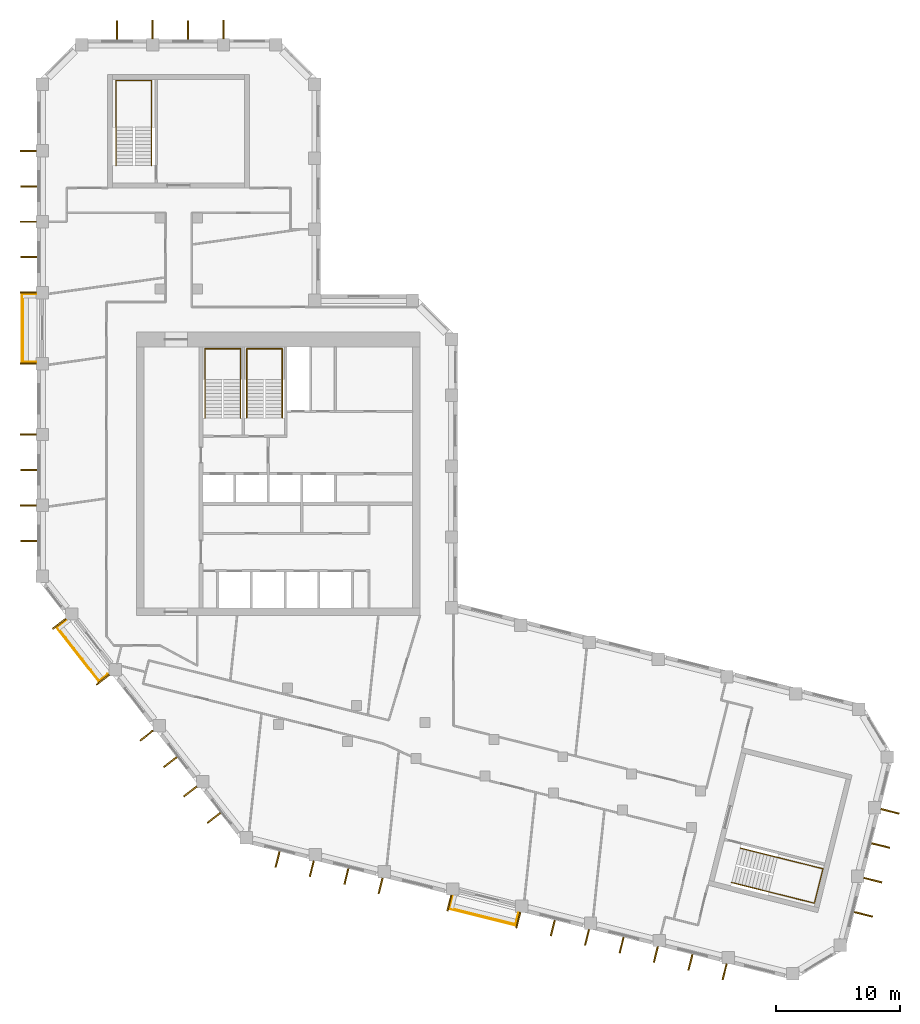
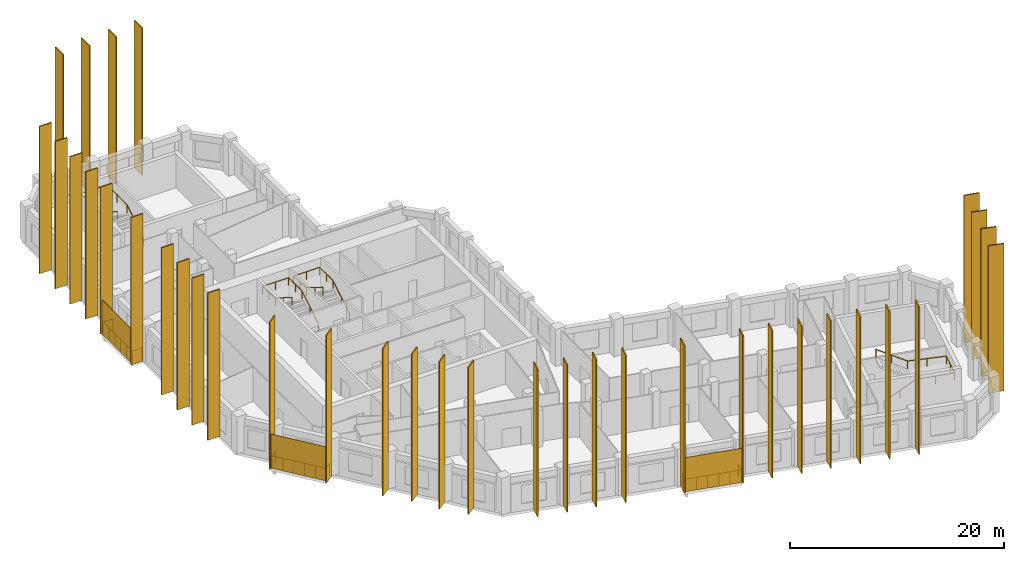
# One storey, part 9 of 9: 39 shading devices, 7 railings.
"""IFC4 building model written with IfcOpenShell, lengths in metres."""

from ifc_helpers import new_model, si_unit, direction, frame, origin, origin_2d, place, context, subcontext, project, spatial, rectangle, circle, extrude, material, layer, layer_set, type_object, element, save


model = new_model("IFC4")

# Units and contexts
model_context = context("Model", 3, precision=1e-05, world=origin(), true_north=direction((0.0, 1.0)))
body_context = subcontext(model_context, "Body", "Model", "MODEL_VIEW")
ifc_project = project(units=[si_unit("LENGTHUNIT", "METRE"), si_unit("AREAUNIT", "SQUARE_METRE"), si_unit("VOLUMEUNIT", "CUBIC_METRE"), si_unit("PLANEANGLEUNIT", "RADIAN"), si_unit("MASSUNIT", "GRAM", prefix="KILO")], contexts=[model_context])

# Site, building, storey
site_placement = place(None, origin())
site = spatial("IfcSite", under=ifc_project, at=site_placement, CompositionType="ELEMENT")
building_placement = place(site_placement, origin())
building = spatial("IfcBuilding", under=site, at=building_placement, Name="Meshkara Civic Tower", CompositionType="ELEMENT")
storey_placement = place(building_placement, frame((0.0, 0.0, 323.39990234375)))
storey = spatial("IfcBuildingStorey", under=building, at=storey_placement, Name="L74", CompositionType="ELEMENT", Elevation=323.39990234375)

# Railings
ifc_material_1 = material(Name="Steel S355", Category="steel")
railing_type_1 = type_object("IfcRailingType", Name="BALUSTRADE GUARD 1400", PredefinedType="BALUSTRADE", material=ifc_material_1)
railing_1_placement = place(storey_placement, frame((-0.050048828125, 39.93505859375, 0.0)))
element("IfcRailing", 1, at=railing_1_placement, inside=storey, type_object=railing_type_1, Name="Balcony guard", PredefinedType="BALUSTRADE", context=body_context, shape_type="SweptSolid", body=[
    extrude(circle(Radius=0.02392578125, at=origin_2d()), frame((0.0, 0.0, 1.3759765625), z_axis=(-1.0, 0.0, 0.0), x_axis=(0.0, -1.0, 0.0)), (0.0, 0.0, 1.0), 1.06005859375),
    extrude(circle(Radius=0.02392578125, at=origin_2d()), frame((-1.06005859375, 0.0, 1.3759765625), z_axis=(0.0, -1.0, 0.0), x_axis=(1.0, 0.0, 0.0)), (0.0, 0.0, 1.0), 5.4599609375),
    extrude(circle(Radius=0.02392578125, at=origin_2d()), frame((-1.06005859375, -5.4599609375, 1.3759765625), z_axis=(1.0, 0.0, 0.0), x_axis=(0.0, 1.0, 0.0)), (0.0, 0.0, 1.0), 1.06005859375),
    extrude(circle(Radius=0.02099609375, at=origin_2d()), origin(), (0.0, 0.0, 1.0), 1.351806640625),
    extrude(circle(Radius=0.02099609375, at=origin_2d()), frame((-1.06005859375, 0.0, 0.0)), (0.0, 0.0, 1.0), 1.351806640625),
    extrude(circle(Radius=0.02099609375, at=origin_2d()), frame((-1.06005859375, -1.092041015625, 0.0)), (0.0, 0.0, 1.0), 1.351806640625),
    extrude(circle(Radius=0.02099609375, at=origin_2d()), frame((-1.06005859375, -2.18408203125, 0.0)), (0.0, 0.0, 1.0), 1.351806640625),
    extrude(circle(Radius=0.02099609375, at=origin_2d()), frame((-1.06005859375, -3.27587890625, 0.0)), (0.0, 0.0, 1.0), 1.351806640625),
    extrude(circle(Radius=0.02099609375, at=origin_2d()), frame((-1.06005859375, -4.367919921875, 0.0)), (0.0, 0.0, 1.0), 1.351806640625),
    extrude(circle(Radius=0.02099609375, at=origin_2d()), frame((-1.06005859375, -5.4599609375, 0.0)), (0.0, 0.0, 1.0), 1.351806640625),
    extrude(circle(Radius=0.02099609375, at=origin_2d()), frame((0.0, -5.4599609375, 0.0)), (0.0, 0.0, 1.0), 1.351806640625),
])
railing_2_placement = place(storey_placement, frame((2.3349609375, 13.701904296875, 0.0)))
element("IfcRailing", 2, at=railing_2_placement, inside=storey, type_object=railing_type_1, Name="Balcony guard", PredefinedType="BALUSTRADE", context=body_context, shape_type="SweptSolid", body=[
    extrude(circle(Radius=0.02392578125, at=origin_2d()), frame((0.0, 0.0, 1.3759765625), z_axis=(-0.788201277662, -0.615417537849, 0.0), x_axis=(0.615417537849, -0.788201277662, 0.0)), (0.0, 0.0, 1.0), 0.857666015625),
    extrude(circle(Radius=0.02392578125, at=origin_2d()), frame((-0.676025390625, -0.52783203125, 1.3759765625), z_axis=(0.615573755741, -0.788079279795, 0.0), x_axis=(0.788079279795, 0.615573755741, 0.0)), (0.0, 0.0, 1.0), 5.460205078125),
    extrude(circle(Radius=0.02392578125, at=origin_2d()), frame((2.68505859375, -4.830810546875, 1.3759765625), z_axis=(0.787649039858, 0.616124167689, 0.0), x_axis=(-0.616124167689, 0.787649039858, 0.0)), (0.0, 0.0, 1.0), 0.8583984375),
    extrude(circle(Radius=0.02099609375, at=origin_2d()), origin(), (0.0, 0.0, 1.0), 1.351806640625),
    extrude(circle(Radius=0.02099609375, at=origin_2d()), frame((-0.676025390625, -0.52783203125, 0.0)), (0.0, 0.0, 1.0), 1.351806640625),
    extrude(circle(Radius=0.02099609375, at=origin_2d()), frame((-0.00390625, -1.388427734375, 0.0)), (0.0, 0.0, 1.0), 1.351806640625),
    extrude(circle(Radius=0.02099609375, at=origin_2d()), frame((0.66845703125, -2.2490234375, 0.0)), (0.0, 0.0, 1.0), 1.351806640625),
    extrude(circle(Radius=0.02099609375, at=origin_2d()), frame((1.340576171875, -3.109619140625, 0.0)), (0.0, 0.0, 1.0), 1.351806640625),
    extrude(circle(Radius=0.02099609375, at=origin_2d()), frame((2.012939453125, -3.97021484375, 0.0)), (0.0, 0.0, 1.0), 1.351806640625),
    extrude(circle(Radius=0.02099609375, at=origin_2d()), frame((2.68505859375, -4.830810546875, 0.0)), (0.0, 0.0, 1.0), 1.351806640625),
    extrude(circle(Radius=0.02099609375, at=origin_2d()), frame((3.361083984375, -4.302001953125, 0.0)), (0.0, 0.0, 1.0), 1.351806640625),
])
railing_3_placement = place(storey_placement, frame((33.4130859375, -8.491943359375, 0.0)))
element("IfcRailing", 3, at=railing_3_placement, inside=storey, type_object=railing_type_1, Name="Balcony guard", PredefinedType="BALUSTRADE", context=body_context, shape_type="SweptSolid", body=[
    extrude(circle(Radius=0.02392578125, at=origin_2d()), frame((0.0, 0.0, 1.3759765625), z_axis=(-0.242475378497, -0.970157559793, 0.0), x_axis=(0.970157559793, -0.242475378497, 0.0)), (0.0, 0.0, 1.0), 0.95361328125),
    extrude(circle(Radius=0.02392578125, at=origin_2d()), frame((-0.231201171875, -0.925048828125, 1.3759765625), z_axis=(0.970292231073, -0.24193591366, 0.0), x_axis=(0.24193591366, 0.970292231073, 0.0)), (0.0, 0.0, 1.0), 5.460205078125),
    extrude(circle(Radius=0.02392578125, at=origin_2d()), frame((5.06689453125, -2.24609375, 1.3759765625), z_axis=(0.242234364289, 0.970217765637, 0.0), x_axis=(-0.970217765637, 0.242234364289, 0.0)), (0.0, 0.0, 1.0), 0.953369140625),
    extrude(circle(Radius=0.02099609375, at=origin_2d()), origin(), (0.0, 0.0, 1.0), 1.351806640625),
    extrude(circle(Radius=0.02099609375, at=origin_2d()), frame((-0.231201171875, -0.925048828125, 0.0)), (0.0, 0.0, 1.0), 1.351806640625),
    extrude(circle(Radius=0.02099609375, at=origin_2d()), frame((0.828369140625, -1.189208984375, 0.0)), (0.0, 0.0, 1.0), 1.351806640625),
    extrude(circle(Radius=0.02099609375, at=origin_2d()), frame((1.887939453125, -1.453369140625, 0.0)), (0.0, 0.0, 1.0), 1.351806640625),
    extrude(circle(Radius=0.02099609375, at=origin_2d()), frame((2.94775390625, -1.7177734375, 0.0)), (0.0, 0.0, 1.0), 1.351806640625),
    extrude(circle(Radius=0.02099609375, at=origin_2d()), frame((4.00732421875, -1.98193359375, 0.0)), (0.0, 0.0, 1.0), 1.351806640625),
    extrude(circle(Radius=0.02099609375, at=origin_2d()), frame((5.06689453125, -2.24609375, 0.0)), (0.0, 0.0, 1.0), 1.351806640625),
    extrude(circle(Radius=0.02099609375, at=origin_2d()), frame((5.2978515625, -1.321044921875, 0.0)), (0.0, 0.0, 1.0), 1.351806640625),
])

# Shading devices
ifc_material_2 = material(Name="Bronze anodised aluminium", Category="aluminium")
ifc_layer_1 = layer(ifc_material_2, 0.1201171875)
ifc_layer_set_1 = layer_set([ifc_layer_1], Name="BRONZE FIN 1300")
shading_device_type_1 = type_object("IfcShadingDeviceType", Name="BRONZE FIN 1300", PredefinedType="USERDEFINED", material=ifc_layer_set_1)
for number, where, z_axis, x_axis, name in (
    (4, (-0.699951171875, 51.455078125, 0.0), (0.0, 0.0, 1.0), (0.0, -1.0, 0.0), "Fin"),
    (5, (-0.64990234375, 48.60498046875, 0.0), (0.0, 0.0, 1.0), (0.0, -1.0, 0.0), "Fin"),
    (6, (-0.699951171875, 45.7548828125, 0.0), (0.0, 0.0, 1.0), (0.0, -1.0, 0.0), "Fin"),
    (7, (-0.64990234375, 42.905029296875, 0.0), (0.0, 0.0, 1.0), (0.0, -1.0, 0.0), "Fin"),
    (8, (-0.699951171875, 40.054931640625, 0.0), (0.0, 0.0, 1.0), (0.0, -1.0, 0.0), "Fin"),
    (9, (-0.699951171875, 34.35498046875, 0.0), (0.0, 0.0, 1.0), (0.0, -1.0, 0.0), "Fin"),
    (10, (-0.699951171875, 28.655029296875, 0.0), (0.0, 0.0, 1.0), (0.0, -1.0, 0.0), "Fin"),
    (11, (-0.64990234375, 25.804931640625, 0.0), (0.0, 0.0, 1.0), (0.0, -1.0, 0.0), "Fin"),
    (12, (-0.699951171875, 22.955078125, 0.0), (0.0, 0.0, 1.0), (0.0, -1.0, 0.0), "Fin"),
    (13, (-0.64990234375, 20.10498046875, 0.0), (0.0, 0.0, 1.0), (0.0, -1.0, 0.0), "Fin"),
    (14, (1.802001953125, 13.43798828125, 0.0), (0.0, 0.0, 1.0), (0.615661475326, -0.788010753607, 0.0), "Fin"),
    (15, (5.31103515625, 8.946044921875, 0.0), (0.0, 0.0, 1.0), (0.615661475326, -0.788010753607, 0.0), "Fin"),
    (16, (8.821044921875, 4.4541015625, 0.0), (0.0, 0.0, 1.0), (0.615661475326, -0.788010753607, 0.0), "Fin"),
    (17, (10.720947265625, 2.322021484375, 0.0), (0.0, 0.0, 1.0), (0.615661475326, -0.788010753607, 0.0), "Fin"),
    (18, (12.330078125, -0.037109375, 0.0), (0.0, 0.0, 1.0), (0.615661475326, -0.788010753607, 0.0), "Fin"),
    (19, (14.22998046875, -2.1689453125, 0.0), (0.0, 0.0, 1.0), (0.615661475326, -0.788010753607, 0.0), "Fin"),
    (20, (19.35009765625, -5.4951171875, 0.0), (0.0, 0.0, 1.0), (0.970295726276, -0.2419218956, 0.0), "Fin"),
    (21, (22.10009765625, -6.248046875, 0.0), (0.0, 0.0, 1.0), (0.970295726276, -0.2419218956, 0.0), "Fin"),
    (22, (24.881103515625, -6.8740234375, 0.0), (0.0, 0.0, 1.0), (0.970295726276, -0.2419218956, 0.0), "Fin"),
    (23, (27.6298828125, -7.626953125, 0.0), (0.0, 0.0, 1.0), (0.970295726276, -0.2419218956, 0.0), "Fin"),
    (24, (33.160888671875, -9.006103515625, 0.0), (0.0, 0.0, 1.0), (0.970295726276, -0.2419218956, 0.0), "Fin"),
    (25, (38.69189453125, -10.385009765625, 0.0), (0.0, 0.0, 1.0), (0.970295726276, -0.2419218956, 0.0), "Fin"),
    (26, (41.472900390625, -11.010986328125, 0.0), (0.0, 0.0, 1.0), (0.970295726276, -0.2419218956, 0.0), "Fin"),
    (27, (44.221923828125, -11.763916015625, 0.0), (0.0, 0.0, 1.0), (0.970295726276, -0.2419218956, 0.0), "Fin"),
    (28, (47.0029296875, -12.388916015625, 0.0), (0.0, 0.0, 1.0), (0.970295726276, -0.2419218956, 0.0), "Fin"),
    (29, (49.7529296875, -13.14306640625, 0.0), (0.0, 0.0, 1.0), (0.970295726276, -0.2419218956, 0.0), "Fin"),
    (30, (52.533935546875, -13.76904296875, 0.0), (0.0, 0.0, 1.0), (0.970295726276, -0.2419218956, 0.0), "Fin"),
    (31, (55.283935546875, -14.52099609375, 0.0), (0.0, 0.0, 1.0), (0.970295726276, -0.2419218956, 0.0), "Fin"),
):
    element("IfcShadingDevice", number, at=place(storey_placement, frame(where, z_axis=z_axis, x_axis=x_axis)), inside=storey, type_object=shading_device_type_1, Name=name, ObjectType="FIN", PredefinedType="USERDEFINED", context=body_context, shape_type="SweptSolid", body=[
        extrude(rectangle(XDim=0.1201171875, YDim=1.300048828125, at=origin_2d()), origin(), (0.0, 0.0, 1.0), 16.800048828125),
    ])
ifc_material_3 = material(Name="Bronze anodised aluminium", Category="aluminium")
ifc_layer_2 = layer(ifc_material_3, 0.1201171875)
ifc_layer_set_2 = layer_set([ifc_layer_2], Name="BRONZE FIN 1500")
shading_device_type_2 = type_object("IfcShadingDeviceType", Name="BRONZE FIN 1500", PredefinedType="USERDEFINED", material=ifc_layer_set_2)
for number, where, z_axis, x_axis, name in (
    (32, (15.006103515625, 61.219970703125, 0.0), (0.0, 0.0, 1.0), (-1.0, 0.0, 0.0), "Fin"),
    (33, (12.156005859375, 61.169921875, 0.0), (0.0, 0.0, 1.0), (-1.0, 0.0, 0.0), "Fin"),
    (34, (9.305908203125, 61.219970703125, 0.0), (0.0, 0.0, 1.0), (-1.0, 0.0, 0.0), "Fin"),
    (35, (6.4560546875, 61.169921875, 0.0), (0.0, 0.0, 1.0), (-1.0, 0.0, 0.0), "Fin"),
    (36, (66.445068359375, -9.912109375, 0.0), (0.0, 0.0, 1.0), (0.241938830418, 0.970291503795, 0.0), "Fin"),
    (37, (67.197998046875, -7.162109375, 0.0), (0.0, 0.0, 1.0), (0.241938830418, 0.970291503795, 0.0), "Fin"),
    (38, (67.823974609375, -4.381103515625, 0.0), (0.0, 0.0, 1.0), (0.241938830418, 0.970291503795, 0.0), "Fin"),
    (39, (68.576904296875, -1.632080078125, 0.0), (0.0, 0.0, 1.0), (0.241938830418, 0.970291503795, 0.0), "Fin"),
):
    element("IfcShadingDevice", number, at=place(storey_placement, frame(where, z_axis=z_axis, x_axis=x_axis)), inside=storey, type_object=shading_device_type_2, Name=name, ObjectType="FIN", PredefinedType="USERDEFINED", context=body_context, shape_type="SweptSolid", body=[
        extrude(rectangle(XDim=0.1201171875, YDim=1.5, at=origin_2d()), origin(), (0.0, 0.0, 1.0), 16.800048828125),
    ])
ifc_material_4 = material(Name="Perforated bronze anodised aluminium sheet", Category="aluminium")
ifc_layer_3 = layer(ifc_material_4, 0.0400390625)
ifc_layer_set_3 = layer_set([ifc_layer_3], Name="PERFORATED BRONZE SCREEN")
shading_device_type_3 = type_object("IfcShadingDeviceType", Name="PERFORATED BRONZE SCREEN", PredefinedType="USERDEFINED", material=ifc_layer_set_3)
for number, where, z_axis, x_axis, name in (
    (40, (-1.179931640625, 37.205078125, 0.000244140625), (0.0, 0.0, 1.0), (0.0, -1.0, 0.0), "Balcony screen"),
    (41, (3.283935546875, 10.97998046875, 0.000244140625), (0.0, 0.0, 1.0), (0.615661475326, -0.788010753607, 0.0), "Balcony screen"),
    (42, (35.81396484375, -10.14599609375, 0.000244140625), (0.0, 0.0, 1.0), (0.970295726276, -0.2419218956, 0.0), "Balcony screen"),
):
    element("IfcShadingDevice", number, at=place(storey_placement, frame(where, z_axis=z_axis, x_axis=x_axis)), inside=storey, type_object=shading_device_type_3, Name=name, ObjectType="SCREEN", PredefinedType="USERDEFINED", context=body_context, shape_type="SweptSolid", body=[
        extrude(rectangle(XDim=5.580078125, YDim=0.0400390625, at=origin_2d()), origin(), (0.0, 0.0, 1.0), 3.89990234375),
    ])

# Railings
ifc_material_5 = material(Name="Steel handrail", Category="steel")
railing_type_2 = type_object("IfcRailingType", Name="Stair handrail 900", PredefinedType="HANDRAIL", material=ifc_material_5)
railing_4_placement = place(storey_placement, frame((16.375, 30.0, 0.175048828125)))
element("IfcRailing", 43, at=railing_4_placement, inside=storey, type_object=railing_type_2, Name="L74 ST1 stair handrail 1", PredefinedType="HANDRAIL", context=body_context, shape_type="SweptSolid", body=[
    extrude(circle(Radius=0.02392578125, at=origin_2d()), frame((0.0, 0.0, 0.8759765625), z_axis=(0.0, 0.847998304005, 0.529998940003), x_axis=(-1.0, 0.0, 0.0)), (0.0, 0.0, 1.0), 3.632080078125),
    extrude(circle(Radius=0.02392578125, at=origin_2d()), frame((0.0, 3.080078125, 2.80078125), z_axis=(0.0, 1.0, 0.0), x_axis=(-1.0, 0.0, 0.0)), (0.0, 0.0, 1.0), 2.469970703125),
    extrude(circle(Radius=0.02392578125, at=origin_2d()), frame((0.0, 5.550048828125, 2.80078125), z_axis=(-1.0, 0.0, 0.0), x_axis=(0.0, -1.0, 0.0)), (0.0, 0.0, 1.0), 2.85009765625),
    extrude(circle(Radius=0.02392578125, at=origin_2d()), frame((-2.85009765625, 5.550048828125, 2.80078125), z_axis=(0.0, -0.997498084828, 0.070693498747), x_axis=(1.0, 0.0, 0.0)), (0.0, 0.0, 1.0), 2.47607421875),
    extrude(circle(Radius=0.02392578125, at=origin_2d()), frame((-2.85009765625, 3.080078125, 2.97607421875), z_axis=(0.0, -0.847998304005, 0.529998940003), x_axis=(1.0, 0.0, 0.0)), (0.0, 0.0, 1.0), 3.632080078125),
    extrude(circle(Radius=0.02099609375, at=origin_2d()), origin(), (0.0, 0.0, 1.0), 0.851806640625),
    extrude(circle(Radius=0.02099609375, at=origin_2d()), frame((0.0, 1.5400390625, 0.96240234375)), (0.0, 0.0, 1.0), 0.851806640625),
    extrude(circle(Radius=0.02099609375, at=origin_2d()), frame((0.0, 3.080078125, 1.925048828125)), (0.0, 0.0, 1.0), 0.851806640625),
    extrude(circle(Radius=0.02099609375, at=origin_2d()), frame((0.0, 4.31494140625, 1.925048828125)), (0.0, 0.0, 1.0), 0.851806640625),
    extrude(circle(Radius=0.02099609375, at=origin_2d()), frame((0.0, 5.550048828125, 1.925048828125)), (0.0, 0.0, 1.0), 0.851806640625),
    extrude(circle(Radius=0.02099609375, at=origin_2d()), frame((-1.425048828125, 5.550048828125, 1.925048828125)), (0.0, 0.0, 1.0), 0.851806640625),
    extrude(circle(Radius=0.02099609375, at=origin_2d()), frame((-2.85009765625, 5.550048828125, 1.925048828125)), (0.0, 0.0, 1.0), 0.851806640625),
    extrude(circle(Radius=0.02099609375, at=origin_2d()), frame((-2.85009765625, 4.31494140625, 2.0126953125)), (0.0, 0.0, 1.0), 0.851806640625),
    extrude(circle(Radius=0.02099609375, at=origin_2d()), frame((-2.85009765625, 3.080078125, 2.10009765625)), (0.0, 0.0, 1.0), 0.851806640625),
    extrude(circle(Radius=0.02099609375, at=origin_2d()), frame((-2.85009765625, 1.5400390625, 3.0625)), (0.0, 0.0, 1.0), 0.851806640625),
    extrude(circle(Radius=0.02099609375, at=origin_2d()), frame((-2.85009765625, 0.0, 4.025146484375)), (0.0, 0.0, 1.0), 0.851806640625),
])
railing_5_placement = place(storey_placement, frame((19.72509765625, 30.0, 0.175048828125)))
element("IfcRailing", 44, at=railing_5_placement, inside=storey, type_object=railing_type_2, Name="L74 ST2 stair handrail 1", PredefinedType="HANDRAIL", context=body_context, shape_type="SweptSolid", body=[
    extrude(circle(Radius=0.02392578125, at=origin_2d()), frame((0.0, 0.0, 0.8759765625), z_axis=(0.0, 0.847998304005, 0.529998940003), x_axis=(-1.0, 0.0, 0.0)), (0.0, 0.0, 1.0), 3.632080078125),
    extrude(circle(Radius=0.02392578125, at=origin_2d()), frame((0.0, 3.080078125, 2.80078125), z_axis=(0.0, 1.0, 0.0), x_axis=(-1.0, 0.0, 0.0)), (0.0, 0.0, 1.0), 2.469970703125),
    extrude(circle(Radius=0.02392578125, at=origin_2d()), frame((0.0, 5.550048828125, 2.80078125), z_axis=(-1.0, 0.0, 0.0), x_axis=(0.0, -1.0, 0.0)), (0.0, 0.0, 1.0), 2.85009765625),
    extrude(circle(Radius=0.02392578125, at=origin_2d()), frame((-2.85009765625, 5.550048828125, 2.80078125), z_axis=(0.0, -0.997498084828, 0.070693498747), x_axis=(1.0, 0.0, 0.0)), (0.0, 0.0, 1.0), 2.47607421875),
    extrude(circle(Radius=0.02392578125, at=origin_2d()), frame((-2.85009765625, 3.080078125, 2.97607421875), z_axis=(0.0, -0.847998304005, 0.529998940003), x_axis=(1.0, 0.0, 0.0)), (0.0, 0.0, 1.0), 3.632080078125),
    extrude(circle(Radius=0.02099609375, at=origin_2d()), origin(), (0.0, 0.0, 1.0), 0.851806640625),
    extrude(circle(Radius=0.02099609375, at=origin_2d()), frame((0.0, 1.5400390625, 0.96240234375)), (0.0, 0.0, 1.0), 0.851806640625),
    extrude(circle(Radius=0.02099609375, at=origin_2d()), frame((0.0, 3.080078125, 1.925048828125)), (0.0, 0.0, 1.0), 0.851806640625),
    extrude(circle(Radius=0.02099609375, at=origin_2d()), frame((0.0, 4.31494140625, 1.925048828125)), (0.0, 0.0, 1.0), 0.851806640625),
    extrude(circle(Radius=0.02099609375, at=origin_2d()), frame((0.0, 5.550048828125, 1.925048828125)), (0.0, 0.0, 1.0), 0.851806640625),
    extrude(circle(Radius=0.02099609375, at=origin_2d()), frame((-1.425048828125, 5.550048828125, 1.925048828125)), (0.0, 0.0, 1.0), 0.851806640625),
    extrude(circle(Radius=0.02099609375, at=origin_2d()), frame((-2.85009765625, 5.550048828125, 1.925048828125)), (0.0, 0.0, 1.0), 0.851806640625),
    extrude(circle(Radius=0.02099609375, at=origin_2d()), frame((-2.85009765625, 4.31494140625, 2.0126953125)), (0.0, 0.0, 1.0), 0.851806640625),
    extrude(circle(Radius=0.02099609375, at=origin_2d()), frame((-2.85009765625, 3.080078125, 2.10009765625)), (0.0, 0.0, 1.0), 0.851806640625),
    extrude(circle(Radius=0.02099609375, at=origin_2d()), frame((-2.85009765625, 1.5400390625, 3.0625)), (0.0, 0.0, 1.0), 0.851806640625),
    extrude(circle(Radius=0.02099609375, at=origin_2d()), frame((-2.85009765625, 0.0, 4.025146484375)), (0.0, 0.0, 1.0), 0.851806640625),
])
railing_6_placement = place(storey_placement, frame((9.22509765625, 50.27001953125, 0.175048828125)))
element("IfcRailing", 45, at=railing_6_placement, inside=storey, type_object=railing_type_2, Name="L74 ESA5 stair handrail 1", PredefinedType="HANDRAIL", context=body_context, shape_type="SweptSolid", body=[
    extrude(circle(Radius=0.02392578125, at=origin_2d()), frame((0.0, 0.0, 0.8759765625), z_axis=(0.0, 0.847998304005, 0.529998940003), x_axis=(-1.0, 0.0, 0.0)), (0.0, 0.0, 1.0), 3.632080078125),
    extrude(circle(Radius=0.02392578125, at=origin_2d()), frame((0.0, 3.080078125, 2.80078125), z_axis=(0.0, 1.0, 0.0), x_axis=(-1.0, 0.0, 0.0)), (0.0, 0.0, 1.0), 3.77001953125),
    extrude(circle(Radius=0.02392578125, at=origin_2d()), frame((0.0, 6.85009765625, 2.80078125), z_axis=(-1.0, 0.0, 0.0), x_axis=(0.0, -1.0, 0.0)), (0.0, 0.0, 1.0), 2.85009765625),
    extrude(circle(Radius=0.02392578125, at=origin_2d()), frame((-2.85009765625, 6.85009765625, 2.80078125), z_axis=(0.0, -0.9989237834, 0.046381838667), x_axis=(1.0, 0.0, 0.0)), (0.0, 0.0, 1.0), 3.774169921875),
    extrude(circle(Radius=0.02392578125, at=origin_2d()), frame((-2.85009765625, 3.080078125, 2.97607421875), z_axis=(0.0, -0.847998304005, 0.529998940003), x_axis=(1.0, 0.0, 0.0)), (0.0, 0.0, 1.0), 3.632080078125),
    extrude(circle(Radius=0.02099609375, at=origin_2d()), origin(), (0.0, 0.0, 1.0), 0.851806640625),
    extrude(circle(Radius=0.02099609375, at=origin_2d()), frame((0.0, 1.5400390625, 0.96240234375)), (0.0, 0.0, 1.0), 0.851806640625),
    extrude(circle(Radius=0.02099609375, at=origin_2d()), frame((0.0, 3.080078125, 1.925048828125)), (0.0, 0.0, 1.0), 0.851806640625),
    extrude(circle(Radius=0.02099609375, at=origin_2d()), frame((0.0, 4.965087890625, 1.925048828125)), (0.0, 0.0, 1.0), 0.851806640625),
    extrude(circle(Radius=0.02099609375, at=origin_2d()), frame((0.0, 6.85009765625, 1.925048828125)), (0.0, 0.0, 1.0), 0.851806640625),
    extrude(circle(Radius=0.02099609375, at=origin_2d()), frame((-1.425048828125, 6.85009765625, 1.925048828125)), (0.0, 0.0, 1.0), 0.851806640625),
    extrude(circle(Radius=0.02099609375, at=origin_2d()), frame((-2.85009765625, 6.85009765625, 1.925048828125)), (0.0, 0.0, 1.0), 0.851806640625),
    extrude(circle(Radius=0.02099609375, at=origin_2d()), frame((-2.85009765625, 4.965087890625, 2.0126953125)), (0.0, 0.0, 1.0), 0.851806640625),
    extrude(circle(Radius=0.02099609375, at=origin_2d()), frame((-2.85009765625, 3.080078125, 2.10009765625)), (0.0, 0.0, 1.0), 0.851806640625),
    extrude(circle(Radius=0.02099609375, at=origin_2d()), frame((-2.85009765625, 1.5400390625, 3.0625)), (0.0, 0.0, 1.0), 0.851806640625),
    extrude(circle(Radius=0.02099609375, at=origin_2d()), frame((-2.85009765625, 0.0, 4.025146484375)), (0.0, 0.0, 1.0), 0.851806640625),
])
railing_7_placement = place(storey_placement, frame((55.849365234375, -7.3544921875, 0.175048828125)))
element("IfcRailing", 46, at=railing_7_placement, inside=storey, type_object=railing_type_2, Name="L74 ESB5 stair handrail 1", PredefinedType="HANDRAIL", context=body_context, shape_type="SweptSolid", body=[
    extrude(circle(Radius=0.02392578125, at=origin_2d()), frame((0.0, 0.0, 0.8759765625), z_axis=(0.822781968105, -0.205275396666, 0.529992306062), x_axis=(0.242069343812, 0.970258951408, 0.0)), (0.0, 0.0, 1.0), 3.63232421875),
    extrude(circle(Radius=0.02392578125, at=origin_2d()), frame((2.988525390625, -0.74560546875, 2.80078125), z_axis=(0.970256677427, -0.242078458165, 0.0), x_axis=(0.242078458165, 0.970256677427, 0.0)), (0.0, 0.0, 1.0), 3.769775390625),
    extrude(circle(Radius=0.02392578125, at=origin_2d()), frame((6.646240234375, -1.658203125, 2.80078125), z_axis=(0.242072031574, 0.970258280835, 0.0), x_axis=(-0.970258280835, 0.242072031574, 0.0)), (0.0, 0.0, 1.0), 2.85009765625),
    extrude(circle(Radius=0.02392578125, at=origin_2d()), frame((7.336181640625, 1.107177734375, 2.80078125), z_axis=(-0.969216294885, 0.241802743795, 0.046381104147), x_axis=(-0.242063248025, -0.970260472221, 0.0)), (0.0, 0.0, 1.0), 3.774169921875),
    extrude(circle(Radius=0.02392578125, at=origin_2d()), frame((3.67822265625, 2.019775390625, 2.97607421875), z_axis=(-0.822771605551, 0.205222362071, 0.530028930537), x_axis=(-0.242013336109, -0.97027292302, 0.0)), (0.0, 0.0, 1.0), 3.632080078125),
    extrude(circle(Radius=0.02099609375, at=origin_2d()), origin(), (0.0, 0.0, 1.0), 0.851806640625),
    extrude(circle(Radius=0.02099609375, at=origin_2d()), frame((1.494140625, -0.372802734375, 0.96240234375)), (0.0, 0.0, 1.0), 0.851806640625),
    extrude(circle(Radius=0.02099609375, at=origin_2d()), frame((2.988525390625, -0.74560546875, 1.925048828125)), (0.0, 0.0, 1.0), 0.851806640625),
    extrude(circle(Radius=0.02099609375, at=origin_2d()), frame((4.8173828125, -1.201904296875, 1.925048828125)), (0.0, 0.0, 1.0), 0.851806640625),
    extrude(circle(Radius=0.02099609375, at=origin_2d()), frame((6.646240234375, -1.658203125, 1.925048828125)), (0.0, 0.0, 1.0), 0.851806640625),
    extrude(circle(Radius=0.02099609375, at=origin_2d()), frame((6.9912109375, -0.275390625, 1.925048828125)), (0.0, 0.0, 1.0), 0.851806640625),
    extrude(circle(Radius=0.02099609375, at=origin_2d()), frame((7.336181640625, 1.107177734375, 1.925048828125)), (0.0, 0.0, 1.0), 0.851806640625),
    extrude(circle(Radius=0.02099609375, at=origin_2d()), frame((5.50732421875, 1.5634765625, 2.0126953125)), (0.0, 0.0, 1.0), 0.851806640625),
    extrude(circle(Radius=0.02099609375, at=origin_2d()), frame((3.67822265625, 2.019775390625, 2.10009765625)), (0.0, 0.0, 1.0), 0.851806640625),
    extrude(circle(Radius=0.02099609375, at=origin_2d()), frame((2.18408203125, 2.392578125, 3.0625)), (0.0, 0.0, 1.0), 0.851806640625),
    extrude(circle(Radius=0.02099609375, at=origin_2d()), frame((0.68994140625, 2.76513671875, 4.025146484375)), (0.0, 0.0, 1.0), 0.851806640625),
])

save(model, "model.ifc")
